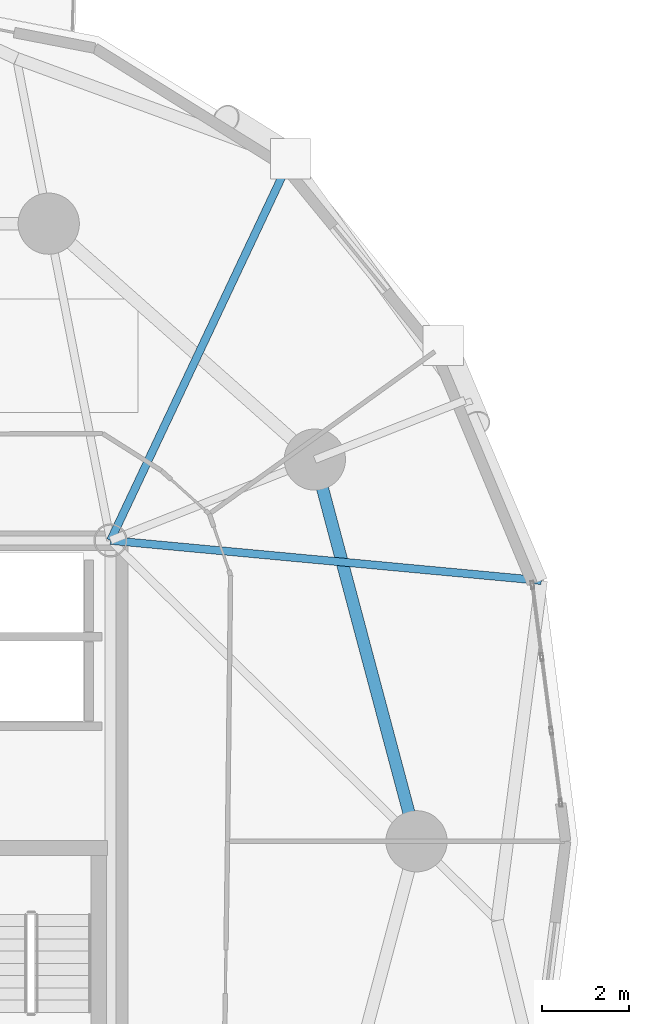
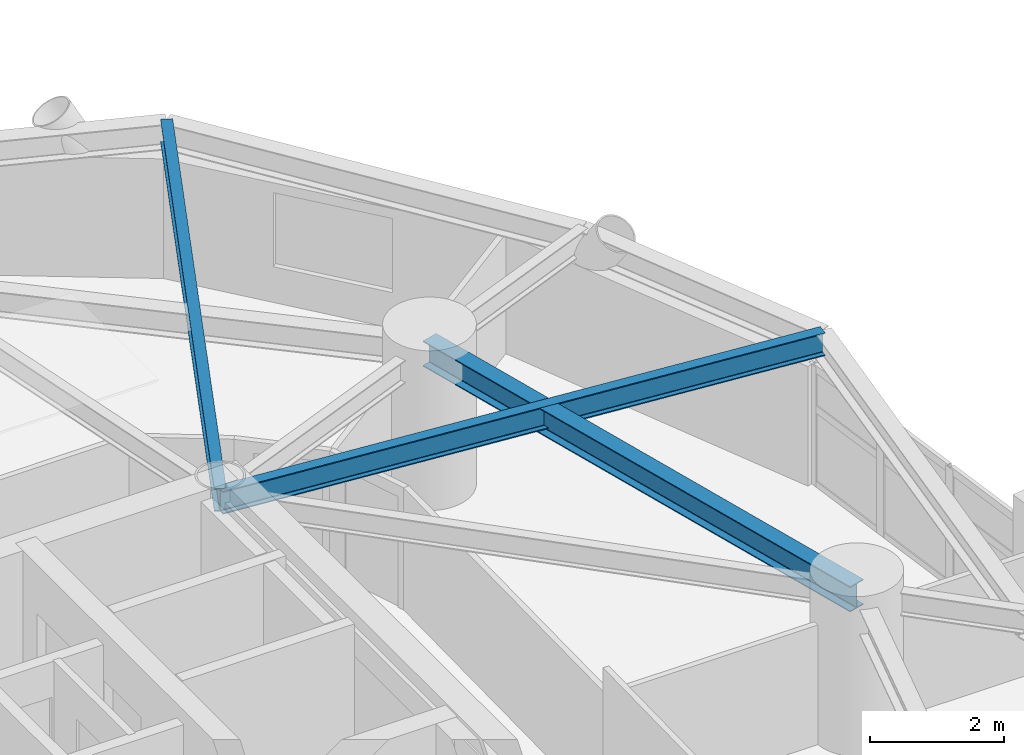
# One storey, part 3 of 18: 3 beams.
"""IFC4 building model written with IfcOpenShell, lengths in metres."""

import ifcopenshell
import ifcopenshell.guid

model = None  # the IFC model being written
_history = None  # IfcOwnerHistory: only IFC2X3 demands one
_inside = {}  # id of a spatial element -> (the spatial element, [elements in it])
_under = {}  # id of a project, library or spatial element -> (it, [spatial elements below it])
_declared = {}  # id of a project -> (the project, [libraries it declares])
_typed = {}  # id of a type object -> (the type object, [elements of that type])
_made_of = {}  # id of a material, layer set ... -> (it, [elements and type objects made of it])


def new_model(schema):
    """Start an empty IFC model of exactly this schema.

    Asked for "IFC4X3", IfcOpenShell would pick the latest addendum, in which some entities
    have other attributes; the version numbers below select the first issue.
    IFC2X3 requires an IfcOwnerHistory on every rooted entity: one is made here for all.
    """
    global model, _history
    if schema == "IFC4X3":
        model = ifcopenshell.file(schema_version=(4, 3, 0, 0))
    else:
        model = ifcopenshell.file(schema=schema)
    _inside.clear()
    _under.clear()
    _declared.clear()
    _typed.clear()
    _made_of.clear()
    _history = None
    if model.schema == "IFC2X3":
        org = make("IfcOrganization", Name="unknown")
        user = make(
            "IfcPersonAndOrganization",
            ThePerson=make("IfcPerson", FamilyName="unknown"),
            TheOrganization=org,
        )
        app = make(
            "IfcApplication",
            ApplicationDeveloper=org,
            Version="unknown",
            ApplicationFullName="unknown",
            ApplicationIdentifier="unknown",
        )
        _history = make(
            "IfcOwnerHistory",
            OwningUser=user,
            OwningApplication=app,
            ChangeAction="ADDED",
            CreationDate=0,
        )
    return model


def make(cls, **values):
    """One entity of the class cls with the attributes given. An attribute that is None is left unset."""
    return model.create_entity(
        cls, **{name: value for name, value in values.items() if value is not None}
    )


def rooted(cls, **values):
    """An entity with a GlobalId (a new one), such as an element, a storey or a relation."""
    return make(cls, GlobalId=ifcopenshell.guid.new(), OwnerHistory=_history, **values)


def si_unit(unit_type, name, prefix=None):
    """IfcSIUnit, for example si_unit("LENGTHUNIT", "METRE", prefix="MILLI")."""
    return make("IfcSIUnit", UnitType=unit_type, Prefix=prefix, Name=name)


def assignment(units):
    """IfcUnitAssignment: the units of a project."""
    return None if units is None else make("IfcUnitAssignment", Units=units)


def point(xyz):
    """IfcCartesianPoint."""
    return None if xyz is None else make("IfcCartesianPoint", Coordinates=xyz)


def direction(xyz):
    """IfcDirection."""
    return None if xyz is None else make("IfcDirection", DirectionRatios=xyz)


def frame(location, z_axis=None, x_axis=None):
    """IfcAxis2Placement3D, a coordinate frame: its origin and axes. An axis left out is left unset."""
    return make(
        "IfcAxis2Placement3D",
        Location=point(location),
        Axis=direction(z_axis),
        RefDirection=direction(x_axis),
    )


def frame_2d(location, x_axis=None):
    """IfcAxis2Placement2D, a coordinate frame in the plane: its origin and x axis."""
    return make(
        "IfcAxis2Placement2D", Location=point(location), RefDirection=direction(x_axis)
    )


def origin():
    """The frame at (0, 0, 0) with its axes left unset."""
    return frame((0.0, 0.0, 0.0))


def origin_2d():
    """The frame at (0, 0) in the plane with its x axis left unset."""
    return frame_2d((0.0, 0.0))


def place(relative_to, where):
    """IfcLocalPlacement: puts the frame where relative to a parent placement (None: the world)."""
    return make(
        "IfcLocalPlacement", PlacementRelTo=relative_to, RelativePlacement=where
    )


def context(
    kind, dimensions, precision=None, world=None, true_north=None, identifier=None
):
    """IfcGeometricRepresentationContext, for example the 3D "Model" context."""
    return make(
        "IfcGeometricRepresentationContext",
        ContextIdentifier=identifier,
        ContextType=kind,
        CoordinateSpaceDimension=dimensions,
        Precision=precision,
        WorldCoordinateSystem=world,
        TrueNorth=true_north,
    )


def subcontext(parent, identifier, kind, view, scale=None):
    """IfcGeometricRepresentationSubContext, for example "Body" below "Model"."""
    return make(
        "IfcGeometricRepresentationSubContext",
        ContextIdentifier=identifier,
        ContextType=kind,
        ParentContext=parent,
        TargetScale=scale,
        TargetView=view,
    )


def project(units=None, contexts=None):
    """IfcProject with its units and contexts."""
    return rooted(
        "IfcProject",
        Name="project",
        RepresentationContexts=contexts,
        UnitsInContext=assignment(units),
    )


def spatial(cls, under=None, at=None, **own):
    """A site, building, storey or space (cls), placed at a placement, below another one or the project."""
    s = rooted(cls, ObjectPlacement=at, **own)
    if under is not None:
        _under.setdefault(under.id(), (under, []))[1].append(s)
    return s


def profile(cls, at=None, kind="AREA", **sizes):
    """A parametric profile (cls). Its sizes go by their IFC names, for example OverallWidth=200.0."""
    return make(cls, ProfileType=kind, Position=at, **sizes)


def i_section(**sizes):
    """IfcIShapeProfileDef."""
    return profile("IfcIShapeProfileDef", **sizes)


def extrude(swept, where, along, depth):
    """IfcExtrudedAreaSolid: the profile swept, set in the frame where, extruded along a direction by depth."""
    return make(
        "IfcExtrudedAreaSolid",
        SweptArea=swept,
        Position=where,
        ExtrudedDirection=direction(along),
        Depth=depth,
    )


def shape(context_of_items, identifier, shape_type, items):
    """IfcShapeRepresentation: the items that make up one representation, for example the "Body"."""
    return make(
        "IfcShapeRepresentation",
        ContextOfItems=context_of_items,
        RepresentationIdentifier=identifier,
        RepresentationType=shape_type,
        Items=items,
    )


def material(Name=None, Category=None):
    """IfcMaterial."""
    return make("IfcMaterial", Name=Name, Category=Category)


def material_profile(
    of_material, cross_section, Name=None, Category=None, Priority=None
):
    """IfcMaterialProfile: a cross section and its material."""
    return make(
        "IfcMaterialProfile",
        Name=Name,
        Material=of_material,
        Profile=cross_section,
        Priority=Priority,
        Category=Category,
    )


def profile_set(profiles, Name=None, composite=None):
    """IfcMaterialProfileSet."""
    return make(
        "IfcMaterialProfileSet",
        Name=Name,
        MaterialProfiles=profiles,
        CompositeProfile=composite,
    )


def made_of(thing, what):
    """Note that an element or type object is made of a material, layer set ...; save() writes the relation."""
    if what is not None:
        _made_of.setdefault(what.id(), (what, []))[1].append(thing)
    return thing


def type_object(cls, material=None, **own):
    """A type object (cls), such as IfcWallType, which elements share."""
    return made_of(rooted(cls, **own), material)


def element(
    cls,
    number,
    at=None,
    inside=None,
    cuts=None,
    type_object=None,
    material=None,
    context=None,
    identifier="Body",
    shape_type=None,
    held_by="IfcProductDefinitionShape",
    body=None,
    shapes=None,
    **own,
):
    """One element of the class cls, such as IfcWall. Its Tag is "e" and its number.

    at: its placement. inside: the storey or other place that contains it. cuts: it is an
    opening in that element (IfcRelVoidsElement). A single representation is given by context,
    identifier, shape_type and body (its items); several are given by shapes. held_by: the class
    of the entity that holds the representations. save() writes the other relations.
    """
    e = rooted(cls, Tag="e%d" % number, ObjectPlacement=at, **own)
    if body is not None:
        shapes = [shape(context, identifier, shape_type, body)]
    if shapes is not None:
        e.Representation = make(held_by, Representations=shapes)
    if inside is not None:
        _inside.setdefault(inside.id(), (inside, []))[1].append(e)
    if cuts is not None:
        rooted(
            "IfcRelVoidsElement", RelatingBuildingElement=cuts, RelatedOpeningElement=e
        )
    if type_object is not None:
        _typed.setdefault(type_object.id(), (type_object, []))[1].append(e)
    return made_of(e, material)


def aggregate(whole, parts):
    """IfcRelAggregates: a whole, such as a stair, and the parts it consists of."""
    return rooted("IfcRelAggregates", RelatingObject=whole, RelatedObjects=parts)


def save(model, path):
    """Write the relations noted so far, then the file.

    IfcRelAggregates (storeys below a building ...), IfcRelContainedInSpatialStructure (elements
    in a storey), IfcRelDefinesByType, IfcRelAssociatesMaterial and IfcRelDeclares: one each for
    every whole, place, type object, material and project.
    """
    for whole, parts in _under.values():
        aggregate(whole, parts)
    for where, things in _inside.values():
        rooted(
            "IfcRelContainedInSpatialStructure",
            RelatedElements=things,
            RelatingStructure=where,
        )
    for kind, things in _typed.values():
        rooted("IfcRelDefinesByType", RelatedObjects=things, RelatingType=kind)
    for what, things in _made_of.values():
        rooted("IfcRelAssociatesMaterial", RelatedObjects=things, RelatingMaterial=what)
    for by, libraries in _declared.values():
        rooted("IfcRelDeclares", RelatingContext=by, RelatedDefinitions=libraries)
    model.write(path)


model = new_model("IFC4")

# Units and contexts
model_context = context("Model", 3, precision=1e-05, world=origin(), true_north=direction((0.0, 1.0)))
body_context = subcontext(model_context, "Body", "Model", "MODEL_VIEW")
ifc_project = project(units=[si_unit("LENGTHUNIT", "METRE"), si_unit("AREAUNIT", "SQUARE_METRE"), si_unit("VOLUMEUNIT", "CUBIC_METRE"), si_unit("PLANEANGLEUNIT", "RADIAN"), si_unit("MASSUNIT", "GRAM", prefix="KILO")], contexts=[model_context])

# Site, building, storey
site_placement = place(None, origin())
site = spatial("IfcSite", under=ifc_project, at=site_placement, CompositionType="ELEMENT")
building_placement = place(site_placement, origin())
building = spatial("IfcBuilding", under=site, at=building_placement, Name="Cununo Teusaquillo Station Towers", CompositionType="ELEMENT")
storey_placement = place(building_placement, frame((0.0, 0.0, 102.159912109375)))
storey = spatial("IfcBuildingStorey", under=building, at=storey_placement, Name="L32", CompositionType="ELEMENT", Elevation=102.159912109375)

# Beams
ifc_material_1 = material(Name="Steel ASTM A572 Grade 50", Category="steel")
ifc_material_profile_1 = material_profile(ifc_material_1, i_section(OverallWidth=0.180908203125, OverallDepth=0.4169921875, WebThickness=0.010986328125, FlangeThickness=0.018310546875, FilletRadius=0.012939453125, at=origin_2d()), Name="W16X57")
ifc_profile_set_1 = profile_set([ifc_material_profile_1], Name="Steel ASTM A572 Grade 50")
beam_type_1 = type_object("IfcBeamType", Name="BM-JOIST-1", PredefinedType="JOIST", material=ifc_profile_set_1)
beam_1_placement = place(storey_placement, frame((21.675048828125, 31.3798828125, 2.461669921875), z_axis=(0.995678537907, -0.09286683558, 0.0), x_axis=(0.09286683558, 0.995678537907, 0.0)))
element("IfcBeam", 1, at=beam_1_placement, inside=storey, type_object=beam_type_1, Name="L32 Tower A Radial Spandrel Joist V01", PredefinedType="JOIST", context=body_context, shape_type="SweptSolid", body=[
    extrude(i_section(OverallWidth=0.180908203125, OverallDepth=0.4169921875, WebThickness=0.010986328125, FlangeThickness=0.018310546875, FilletRadius=0.012939453125, at=origin_2d()), origin(), (0.0, 0.0, 1.0), 9.895263671875),
])
beam_2_placement = place(storey_placement, frame((21.675048828125, 31.3798828125, 2.461669921875), z_axis=(0.426319838016, 0.904572493344, 0.0), x_axis=(-0.904572493344, 0.426319838016, 0.0)))
element("IfcBeam", 2, at=beam_2_placement, inside=storey, type_object=beam_type_1, Name="L32 Tower A Radial Spandrel Joist V03", PredefinedType="JOIST", context=body_context, shape_type="SweptSolid", body=[
    extrude(i_section(OverallWidth=0.180908203125, OverallDepth=0.4169921875, WebThickness=0.010986328125, FlangeThickness=0.018310546875, FilletRadius=0.012939453125, at=origin_2d()), origin(), (0.0, 0.0, 1.0), 9.646728515625),
])
ifc_material_2 = material(Name="Steel ASTM A572 Grade 50", Category="steel")
ifc_material_profile_2 = material_profile(ifc_material_2, i_section(OverallWidth=0.280029296875, OverallDepth=0.462890625, WebThickness=0.0107421875, FlangeThickness=0.017333984375, FilletRadius=0.013916015625, at=origin_2d()), Name="W18X76")
ifc_profile_set_2 = profile_set([ifc_material_profile_2], Name="Steel ASTM A572 Grade 50")
beam_type_2 = type_object("IfcBeamType", Name="BM-RING-Z2", PredefinedType="SPANDREL", material=ifc_profile_set_2)
beam_3_placement = place(storey_placement, frame((28.672119140625, 24.5, 2.4384765625), z_axis=(-0.257363196347, 0.966314744359, 0.0), x_axis=(-0.966314744359, -0.257363196347, 0.0)))
element("IfcBeam", 3, at=beam_3_placement, inside=storey, type_object=beam_type_2, Name="L32 Tower A Structural Column Ring Girder 01", PredefinedType="SPANDREL", context=body_context, shape_type="SweptSolid", body=[
    extrude(i_section(OverallWidth=0.280029296875, OverallDepth=0.462890625, WebThickness=0.0107421875, FlangeThickness=0.017333984375, FilletRadius=0.013916015625, at=origin_2d()), origin(), (0.0, 0.0, 1.0), 9.03271484375),
])

save(model, "model.ifc")
